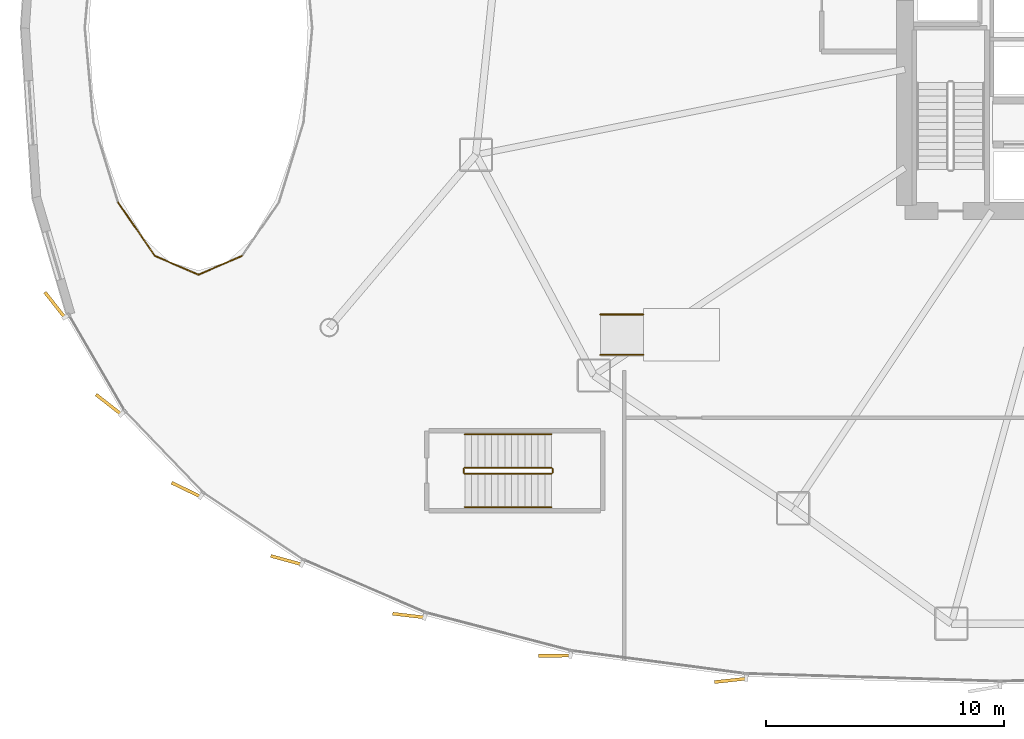
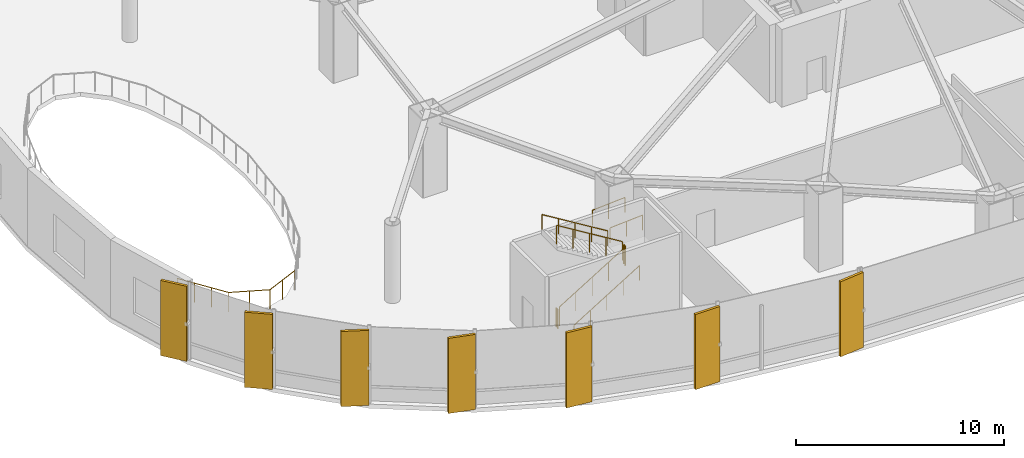
# One storey, part 29 of 34: 11 railings, 7 coverings.
"""IFC4 building model written with IfcOpenShell, lengths in metres."""

from ifc_helpers import new_model, si_unit, direction, frame, origin, origin_2d, place, context, subcontext, project, spatial, rectangle, circle, extrude, source, transform, mapped, material, layer, layer_set, type_object, element, save


model = new_model("IFC4")

# Units and contexts
model_context = context("Model", 3, precision=1e-05, world=origin(), true_north=direction((0.0, 1.0)))
body_context = subcontext(model_context, "Body", "Model", "MODEL_VIEW")
ifc_project = project(units=[si_unit("LENGTHUNIT", "METRE"), si_unit("AREAUNIT", "SQUARE_METRE"), si_unit("VOLUMEUNIT", "CUBIC_METRE"), si_unit("PLANEANGLEUNIT", "RADIAN"), si_unit("MASSUNIT", "GRAM", prefix="KILO"), si_unit("THERMODYNAMICTEMPERATUREUNIT", "KELVIN")], contexts=[model_context])

# Site, building, storey
site_placement = place(None, origin())
site = spatial("IfcSite", under=ifc_project, at=site_placement, CompositionType="ELEMENT")
building_placement = place(site_placement, origin())
building = spatial("IfcBuilding", under=site, at=building_placement, Name="Kethvar Cultural Tower", CompositionType="ELEMENT")
storey_placement = place(building_placement, frame((0.0, 0.0, 5.199951171875)))
storey = spatial("IfcBuildingStorey", under=building, at=storey_placement, Name="L01", CompositionType="ELEMENT", Elevation=5.199951171875)

# Railings
ifc_material_1 = material(Name="Steel S355J2", Category="steel")
railing_type_1 = type_object("IfcRailingType", Name="RL-INT-ATRIUM-1150", PredefinedType="BALUSTRADE", material=ifc_material_1)
railing_1_placement = place(storey_placement, frame((4.919921875, 20.460205078125, 0.0)))
element("IfcRailing", 1, at=railing_1_placement, inside=storey, type_object=railing_type_1, Name="L01 Atrium Void Balustrade 11", PredefinedType="BALUSTRADE", context=body_context, shape_type="SweptSolid", body=[
    extrude(circle(Radius=0.02392578125, at=origin_2d()), frame((0.0, 0.0, 1.1259765625), z_axis=(0.567499103601, -0.823374014293, 0.0), x_axis=(0.823374014293, 0.567499103601, 0.0)), (0.0, 0.0, 1.0), 2.732666015625),
    extrude(circle(Radius=0.02099609375, at=origin_2d()), origin(), (0.0, 0.0, 1.0), 1.101806640625),
    extrude(circle(Radius=0.02099609375, at=origin_2d()), frame((0.516845703125, -0.75, 0.0)), (0.0, 0.0, 1.0), 1.101806640625),
    extrude(circle(Radius=0.02099609375, at=origin_2d()), frame((1.033935546875, -1.5, 0.0)), (0.0, 0.0, 1.0), 1.101806640625),
    extrude(circle(Radius=0.02099609375, at=origin_2d()), frame((1.55078125, -2.25, 0.0)), (0.0, 0.0, 1.0), 1.101806640625),
])
railing_2_placement = place(storey_placement, frame((6.470703125, 18.210205078125, 0.0)))
element("IfcRailing", 2, at=railing_2_placement, inside=storey, type_object=railing_type_1, Name="L01 Atrium Void Balustrade 12", PredefinedType="BALUSTRADE", context=body_context, shape_type="SweptSolid", body=[
    extrude(circle(Radius=0.02392578125, at=origin_2d()), frame((0.0, 0.0, 1.1259765625), z_axis=(0.918000525131, -0.396579167203, 0.0), x_axis=(0.396579167203, 0.918000525131, 0.0)), (0.0, 0.0, 1.0), 1.99267578125),
    extrude(circle(Radius=0.02099609375, at=origin_2d()), origin(), (0.0, 0.0, 1.0), 1.101806640625),
    extrude(circle(Radius=0.02099609375, at=origin_2d()), frame((0.91455078125, -0.39501953125, 0.0)), (0.0, 0.0, 1.0), 1.101806640625),
    extrude(circle(Radius=0.02099609375, at=origin_2d()), frame((1.829345703125, -0.790283203125, 0.0)), (0.0, 0.0, 1.0), 1.101806640625),
])
railing_3_placement = place(storey_placement, frame((8.300048828125, 17.419921875, 0.0)))
element("IfcRailing", 3, at=railing_3_placement, inside=storey, type_object=railing_type_1, Name="L01 Atrium Void Balustrade 13", PredefinedType="BALUSTRADE", context=body_context, shape_type="SweptSolid", body=[
    extrude(circle(Radius=0.02392578125, at=origin_2d()), frame((0.0, 0.0, 1.1259765625), z_axis=(0.917981253421, 0.396623774336, 0.0), x_axis=(-0.396623774336, 0.917981253421, 0.0)), (0.0, 0.0, 1.0), 1.992431640625),
    extrude(circle(Radius=0.02099609375, at=origin_2d()), origin(), (0.0, 0.0, 1.0), 1.101806640625),
    extrude(circle(Radius=0.02099609375, at=origin_2d()), frame((0.91455078125, 0.39501953125, 0.0)), (0.0, 0.0, 1.0), 1.101806640625),
    extrude(circle(Radius=0.02099609375, at=origin_2d()), frame((1.8291015625, 0.790283203125, 0.0)), (0.0, 0.0, 1.0), 1.101806640625),
])
railing_type_2 = type_object("IfcRailingType", Name="RL-STAIR-GUARD", PredefinedType="BALUSTRADE", material=ifc_material_1)
railing_4_placement = place(storey_placement, frame((19.5, 9.050048828125, 0.17138671875)))
element("IfcRailing", 4, at=railing_4_placement, inside=storey, type_object=railing_type_2, Name="L01 ST-04 stair guard 1", PredefinedType="BALUSTRADE", context=body_context, shape_type="SweptSolid", body=[
    extrude(circle(Radius=0.02392578125, at=origin_2d()), frame((0.0, 0.0, 1.09619140625), z_axis=(0.852824790078, 0.0, 0.522197163366), x_axis=(0.0, 1.0, 0.0)), (0.0, 0.0, 1.0), 4.26806640625),
    extrude(circle(Radius=0.02099609375, at=origin_2d()), origin(), (0.0, 0.0, 1.0), 1.072021484375),
    extrude(circle(Radius=0.02099609375, at=origin_2d()), frame((0.909912109375, 0.0, 0.55712890625)), (0.0, 0.0, 1.0), 1.072021484375),
    extrude(circle(Radius=0.02099609375, at=origin_2d()), frame((1.81982421875, 0.0, 1.1142578125)), (0.0, 0.0, 1.0), 1.072021484375),
    extrude(circle(Radius=0.02099609375, at=origin_2d()), frame((2.72998046875, 0.0, 1.671630859375)), (0.0, 0.0, 1.0), 1.072021484375),
    extrude(circle(Radius=0.02099609375, at=origin_2d()), frame((3.639892578125, 0.0, 2.228759765625)), (0.0, 0.0, 1.0), 1.072021484375),
])
railing_5_placement = place(storey_placement, frame((23.18994140625, 9.10009765625, 2.400146484375)))
element("IfcRailing", 5, at=railing_5_placement, inside=storey, type_object=railing_type_2, Name="L01 ST-04 stair guard 2", PredefinedType="BALUSTRADE", context=body_context, shape_type="SweptSolid", body=[
    extrude(circle(Radius=0.02392578125, at=origin_2d()), frame((0.0, 0.0, 1.09619140625), z_axis=(0.0, 1.0, 0.0), x_axis=(-1.0, 0.0, 0.0)), (0.0, 0.0, 1.0), 0.159912109375),
    extrude(circle(Radius=0.02099609375, at=origin_2d()), origin(), (0.0, 0.0, 1.0), 1.072021484375),
    extrude(circle(Radius=0.02099609375, at=origin_2d()), frame((0.0, 0.159912109375, 0.0)), (0.0, 0.0, 1.0), 1.072021484375),
])
railing_6_placement = place(storey_placement, frame((23.139892578125, 9.31005859375, 2.571533203125)))
element("IfcRailing", 6, at=railing_6_placement, inside=storey, type_object=railing_type_2, Name="L01 ST-04 stair guard 3", PredefinedType="BALUSTRADE", context=body_context, shape_type="SweptSolid", body=[
    extrude(circle(Radius=0.02392578125, at=origin_2d()), frame((0.0, 0.0, 1.09619140625), z_axis=(-0.852850264322, 0.0, 0.5221555579), x_axis=(0.0, -1.0, 0.0)), (0.0, 0.0, 1.0), 4.267822265625),
    extrude(circle(Radius=0.02099609375, at=origin_2d()), origin(), (0.0, 0.0, 1.0), 1.072021484375),
    extrude(circle(Radius=0.02099609375, at=origin_2d()), frame((-0.909912109375, 0.0, 0.55712890625)), (0.0, 0.0, 1.0), 1.072021484375),
    extrude(circle(Radius=0.02099609375, at=origin_2d()), frame((-1.81982421875, 0.0, 1.1142578125)), (0.0, 0.0, 1.0), 1.072021484375),
    extrude(circle(Radius=0.02099609375, at=origin_2d()), frame((-2.72998046875, 0.0, 1.67138671875)), (0.0, 0.0, 1.0), 1.072021484375),
    extrude(circle(Radius=0.02099609375, at=origin_2d()), frame((-3.639892578125, 0.0, 2.228515625)), (0.0, 0.0, 1.0), 1.072021484375),
])
railing_7_placement = place(storey_placement, frame((19.449951171875, 9.10009765625, 0.0)))
element("IfcRailing", 7, at=railing_7_placement, inside=storey, type_object=railing_type_2, Name="L01 ST-04 stair guard 4", PredefinedType="BALUSTRADE", context=body_context, shape_type="SweptSolid", body=[
    extrude(circle(Radius=0.02392578125, at=origin_2d()), frame((0.0, 0.0, 1.09619140625), z_axis=(0.0, 1.0, 0.0), x_axis=(-1.0, 0.0, 0.0)), (0.0, 0.0, 1.0), 0.159912109375),
    extrude(circle(Radius=0.02099609375, at=origin_2d()), origin(), (0.0, 0.0, 1.0), 1.072021484375),
    extrude(circle(Radius=0.02099609375, at=origin_2d()), frame((0.0, 0.159912109375, 0.0)), (0.0, 0.0, 1.0), 1.072021484375),
])
railing_type_3 = type_object("IfcRailingType", Name="RL-STAIR-HANDRAIL", PredefinedType="HANDRAIL", material=ifc_material_1)
railing_8_placement = place(storey_placement, frame((19.5, 7.64990234375, 0.17138671875)))
element("IfcRailing", 8, at=railing_8_placement, inside=storey, type_object=railing_type_3, Name="L01 ST-04 stair handrail 1", PredefinedType="HANDRAIL", context=body_context, shape_type="SweptSolid", body=[
    extrude(circle(Radius=0.02392578125, at=origin_2d()), frame((0.0, 0.0, 0.8759765625), z_axis=(0.852824790078, 0.0, 0.522197163366), x_axis=(0.0, 1.0, 0.0)), (0.0, 0.0, 1.0), 4.26806640625),
    extrude(circle(Radius=0.02099609375, at=origin_2d()), origin(), (0.0, 0.0, 1.0), 0.851806640625),
    extrude(circle(Radius=0.02099609375, at=origin_2d()), frame((0.909912109375, 0.0, 0.55712890625)), (0.0, 0.0, 1.0), 0.851806640625),
    extrude(circle(Radius=0.02099609375, at=origin_2d()), frame((1.81982421875, 0.0, 1.1142578125)), (0.0, 0.0, 1.0), 0.851806640625),
    extrude(circle(Radius=0.02099609375, at=origin_2d()), frame((2.72998046875, 0.0, 1.671630859375)), (0.0, 0.0, 1.0), 0.851806640625),
    extrude(circle(Radius=0.02099609375, at=origin_2d()), frame((3.639892578125, 0.0, 2.228759765625)), (0.0, 0.0, 1.0), 0.851806640625),
])
railing_9_placement = place(storey_placement, frame((23.139892578125, 10.7099609375, 2.571533203125)))
element("IfcRailing", 9, at=railing_9_placement, inside=storey, type_object=railing_type_3, Name="L01 ST-04 stair handrail 2", PredefinedType="HANDRAIL", context=body_context, shape_type="SweptSolid", body=[
    extrude(circle(Radius=0.02392578125, at=origin_2d()), frame((0.0, 0.0, 0.8759765625), z_axis=(-0.852850264322, 0.0, 0.5221555579), x_axis=(0.0, -1.0, 0.0)), (0.0, 0.0, 1.0), 4.267822265625),
    extrude(circle(Radius=0.02099609375, at=origin_2d()), origin(), (0.0, 0.0, 1.0), 0.851806640625),
    extrude(circle(Radius=0.02099609375, at=origin_2d()), frame((-0.909912109375, 0.0, 0.55712890625)), (0.0, 0.0, 1.0), 0.851806640625),
    extrude(circle(Radius=0.02099609375, at=origin_2d()), frame((-1.81982421875, 0.0, 1.1142578125)), (0.0, 0.0, 1.0), 0.851806640625),
    extrude(circle(Radius=0.02099609375, at=origin_2d()), frame((-2.72998046875, 0.0, 1.67138671875)), (0.0, 0.0, 1.0), 0.851806640625),
    extrude(circle(Radius=0.02099609375, at=origin_2d()), frame((-3.639892578125, 0.0, 2.228515625)), (0.0, 0.0, 1.0), 0.851806640625),
])
for number, where, name in (
    (10, (25.199951171875, 14.050048828125, 0.0), "L01 Accessible Ramp Handrail S"),
    (11, (25.199951171875, 15.75, 0.0), "L01 Accessible Ramp Handrail N"),
):
    element("IfcRailing", number, at=place(storey_placement, frame(where)), inside=storey, type_object=railing_type_3, Name=name, PredefinedType="HANDRAIL", context=body_context, shape_type="SweptSolid", body=[
        extrude(circle(Radius=0.02392578125, at=origin_2d()), frame((0.0, 0.0, 0.8759765625), z_axis=(0.997780964268, 0.0, 0.0665818845), x_axis=(0.0, 1.0, 0.0)), (0.0, 0.0, 1.0), 1.803955078125),
        extrude(circle(Radius=0.02099609375, at=origin_2d()), origin(), (0.0, 0.0, 1.0), 0.851806640625),
        extrude(circle(Radius=0.02099609375, at=origin_2d()), frame((0.89990234375, 0.0, 0.06005859375)), (0.0, 0.0, 1.0), 0.851806640625),
        extrude(circle(Radius=0.02099609375, at=origin_2d()), frame((1.800048828125, 0.0, 0.1201171875)), (0.0, 0.0, 1.0), 0.851806640625),
    ])

# Coverings
ifc_material_2 = material(Name="Extruded Architectural Terracotta", Category="masonry")
ifc_layer = layer(ifc_material_2, 0.135009765625, Name="Extruded Architectural Terracotta", Category="masonry")
ifc_layer_set = layer_set([ifc_layer], Name="Extruded Architectural Terracotta (135 mm)")
covering_type = type_object("IfcCoveringType", Name="Terracotta Facade Fin FIN-04", PredefinedType="CLADDING", material=ifc_layer_set)
shared_shape = source(origin(), body_context, "Body", "SweptSolid", [
    extrude(rectangle(XDim=1.35009765625, YDim=0.135009765625, at=origin_2d()), origin(), (0.0, 0.0, 1.0), 4.39990234375),
])
for number, where, z_axis, x_axis, name in (
    (12, (2.2626953125, 16.156005859375, 0.02001953125), (0.0, 0.0, 1.0), (-0.618819784276, 0.785532987588, 0.0), "L01 Vertical Terracotta Fin 4.1"),
    (13, (4.526611328125, 11.96728515625, 0.02001953125), (0.0, 0.0, 1.0), (-0.786935021961, 0.617035875141, 0.0), "L01 Vertical Terracotta Fin 4.2"),
    (14, (7.784912109375, 8.381591796875, 0.02001953125), (0.0, 0.0, 1.0), (-0.900166792241, 0.435545343388, 0.0), "L01 Vertical Terracotta Fin 4.3"),
    (15, (11.990966796875, 5.421142578125, 0.02001953125), (0.0, 0.0, 1.0), (-0.964326778534, 0.264714684522, 0.0), "L01 Vertical Terracotta Fin 4.4"),
    (16, (17.135986328125, 3.091796875, 0.02001953125), (0.0, 0.0, 1.0), (-0.993251859042, 0.115977344809, 0.0), "L01 Vertical Terracotta Fin 4.5"),
    (17, (23.2646484375, 1.404296875, 0.02001953125), (0.0, 0.0, 1.0), (-0.999963430902, -0.008552009087, 0.0), "L01 Vertical Terracotta Fin 4.6"),
    (18, (30.659423828125, 0.367919921875, 0.02001953125), (0.0, 0.0, 1.0), (-0.994018275953, -0.109213859333, 0.0), "L01 Vertical Terracotta Fin 5.1"),
):
    element("IfcCovering", number, at=place(storey_placement, frame(where, z_axis=z_axis, x_axis=x_axis)), inside=storey, type_object=covering_type, Name=name, PredefinedType="CLADDING", context=body_context, shape_type="MappedRepresentation", body=[
        mapped(shared_shape, transform((0.0, 0.0, 0.0), scale=1.0)),
    ])

save(model, "model.ifc")
